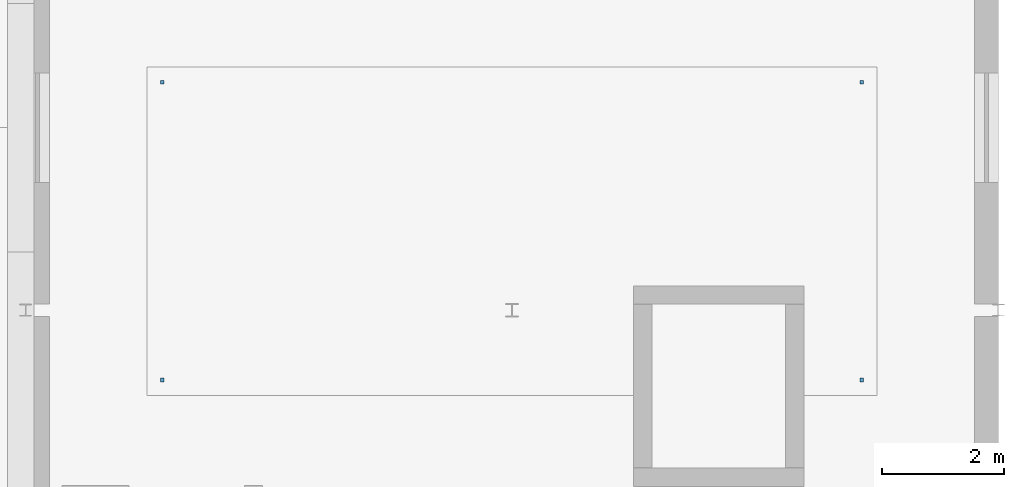
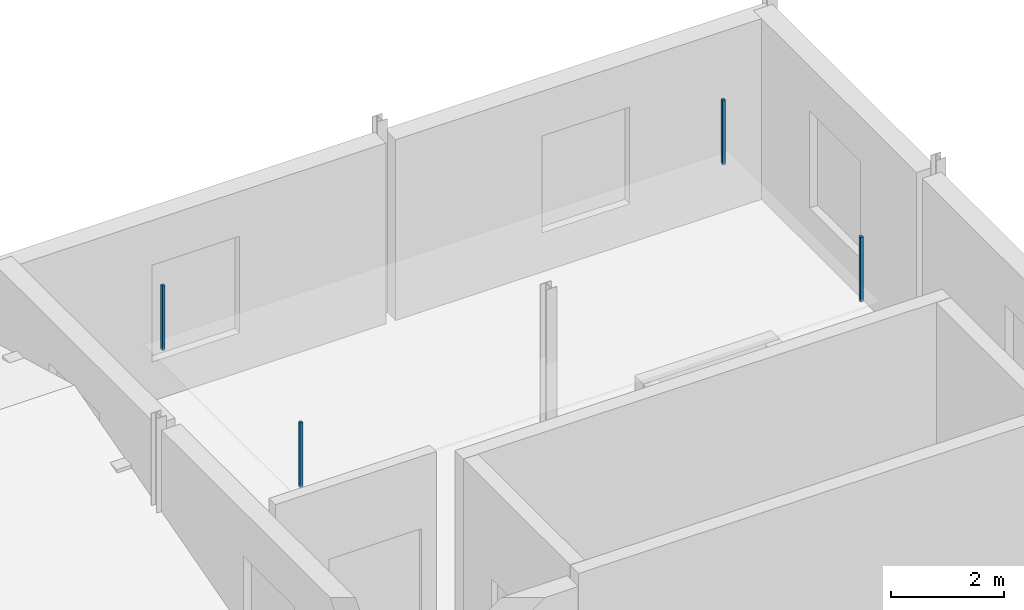
# One storey, part 45 of 67: 4 discrete accessories.
"""IFC4 building model written with IfcOpenShell, lengths in metres."""

import ifcopenshell
import ifcopenshell.guid

model = None  # the IFC model being written
_history = None  # IfcOwnerHistory: only IFC2X3 demands one
_inside = {}  # id of a spatial element -> (the spatial element, [elements in it])
_under = {}  # id of a project, library or spatial element -> (it, [spatial elements below it])
_declared = {}  # id of a project -> (the project, [libraries it declares])
_typed = {}  # id of a type object -> (the type object, [elements of that type])
_made_of = {}  # id of a material, layer set ... -> (it, [elements and type objects made of it])


def new_model(schema):
    """Start an empty IFC model of exactly this schema.

    Asked for "IFC4X3", IfcOpenShell would pick the latest addendum, in which some entities
    have other attributes; the version numbers below select the first issue.
    IFC2X3 requires an IfcOwnerHistory on every rooted entity: one is made here for all.
    """
    global model, _history
    if schema == "IFC4X3":
        model = ifcopenshell.file(schema_version=(4, 3, 0, 0))
    else:
        model = ifcopenshell.file(schema=schema)
    _inside.clear()
    _under.clear()
    _declared.clear()
    _typed.clear()
    _made_of.clear()
    _history = None
    if model.schema == "IFC2X3":
        org = make("IfcOrganization", Name="unknown")
        user = make(
            "IfcPersonAndOrganization",
            ThePerson=make("IfcPerson", FamilyName="unknown"),
            TheOrganization=org,
        )
        app = make(
            "IfcApplication",
            ApplicationDeveloper=org,
            Version="unknown",
            ApplicationFullName="unknown",
            ApplicationIdentifier="unknown",
        )
        _history = make(
            "IfcOwnerHistory",
            OwningUser=user,
            OwningApplication=app,
            ChangeAction="ADDED",
            CreationDate=0,
        )
    return model


def make(cls, **values):
    """One entity of the class cls with the attributes given. An attribute that is None is left unset."""
    return model.create_entity(
        cls, **{name: value for name, value in values.items() if value is not None}
    )


def rooted(cls, **values):
    """An entity with a GlobalId (a new one), such as an element, a storey or a relation."""
    return make(cls, GlobalId=ifcopenshell.guid.new(), OwnerHistory=_history, **values)


def si_unit(unit_type, name, prefix=None):
    """IfcSIUnit, for example si_unit("LENGTHUNIT", "METRE", prefix="MILLI")."""
    return make("IfcSIUnit", UnitType=unit_type, Prefix=prefix, Name=name)


def assignment(units):
    """IfcUnitAssignment: the units of a project."""
    return None if units is None else make("IfcUnitAssignment", Units=units)


def point(xyz):
    """IfcCartesianPoint."""
    return None if xyz is None else make("IfcCartesianPoint", Coordinates=xyz)


def direction(xyz):
    """IfcDirection."""
    return None if xyz is None else make("IfcDirection", DirectionRatios=xyz)


def frame(location, z_axis=None, x_axis=None):
    """IfcAxis2Placement3D, a coordinate frame: its origin and axes. An axis left out is left unset."""
    return make(
        "IfcAxis2Placement3D",
        Location=point(location),
        Axis=direction(z_axis),
        RefDirection=direction(x_axis),
    )


def frame_2d(location, x_axis=None):
    """IfcAxis2Placement2D, a coordinate frame in the plane: its origin and x axis."""
    return make(
        "IfcAxis2Placement2D", Location=point(location), RefDirection=direction(x_axis)
    )


def origin():
    """The frame at (0, 0, 0) with its axes left unset."""
    return frame((0.0, 0.0, 0.0))


def origin_2d():
    """The frame at (0, 0) in the plane with its x axis left unset."""
    return frame_2d((0.0, 0.0))


def place(relative_to, where):
    """IfcLocalPlacement: puts the frame where relative to a parent placement (None: the world)."""
    return make(
        "IfcLocalPlacement", PlacementRelTo=relative_to, RelativePlacement=where
    )


def context(
    kind, dimensions, precision=None, world=None, true_north=None, identifier=None
):
    """IfcGeometricRepresentationContext, for example the 3D "Model" context."""
    return make(
        "IfcGeometricRepresentationContext",
        ContextIdentifier=identifier,
        ContextType=kind,
        CoordinateSpaceDimension=dimensions,
        Precision=precision,
        WorldCoordinateSystem=world,
        TrueNorth=true_north,
    )


def subcontext(parent, identifier, kind, view, scale=None):
    """IfcGeometricRepresentationSubContext, for example "Body" below "Model"."""
    return make(
        "IfcGeometricRepresentationSubContext",
        ContextIdentifier=identifier,
        ContextType=kind,
        ParentContext=parent,
        TargetScale=scale,
        TargetView=view,
    )


def project(units=None, contexts=None):
    """IfcProject with its units and contexts."""
    return rooted(
        "IfcProject",
        Name="project",
        RepresentationContexts=contexts,
        UnitsInContext=assignment(units),
    )


def spatial(cls, under=None, at=None, **own):
    """A site, building, storey or space (cls), placed at a placement, below another one or the project."""
    s = rooted(cls, ObjectPlacement=at, **own)
    if under is not None:
        _under.setdefault(under.id(), (under, []))[1].append(s)
    return s


def profile(cls, at=None, kind="AREA", **sizes):
    """A parametric profile (cls). Its sizes go by their IFC names, for example OverallWidth=200.0."""
    return make(cls, ProfileType=kind, Position=at, **sizes)


def rectangle(**sizes):
    """IfcRectangleProfileDef."""
    return profile("IfcRectangleProfileDef", **sizes)


def extrude(swept, where, along, depth):
    """IfcExtrudedAreaSolid: the profile swept, set in the frame where, extruded along a direction by depth."""
    return make(
        "IfcExtrudedAreaSolid",
        SweptArea=swept,
        Position=where,
        ExtrudedDirection=direction(along),
        Depth=depth,
    )


def shape(context_of_items, identifier, shape_type, items):
    """IfcShapeRepresentation: the items that make up one representation, for example the "Body"."""
    return make(
        "IfcShapeRepresentation",
        ContextOfItems=context_of_items,
        RepresentationIdentifier=identifier,
        RepresentationType=shape_type,
        Items=items,
    )


def material(Name=None, Category=None):
    """IfcMaterial."""
    return make("IfcMaterial", Name=Name, Category=Category)


def made_of(thing, what):
    """Note that an element or type object is made of a material, layer set ...; save() writes the relation."""
    if what is not None:
        _made_of.setdefault(what.id(), (what, []))[1].append(thing)
    return thing


def type_object(cls, material=None, **own):
    """A type object (cls), such as IfcWallType, which elements share."""
    return made_of(rooted(cls, **own), material)


def element(
    cls,
    number,
    at=None,
    inside=None,
    cuts=None,
    type_object=None,
    material=None,
    context=None,
    identifier="Body",
    shape_type=None,
    held_by="IfcProductDefinitionShape",
    body=None,
    shapes=None,
    **own,
):
    """One element of the class cls, such as IfcWall. Its Tag is "e" and its number.

    at: its placement. inside: the storey or other place that contains it. cuts: it is an
    opening in that element (IfcRelVoidsElement). A single representation is given by context,
    identifier, shape_type and body (its items); several are given by shapes. held_by: the class
    of the entity that holds the representations. save() writes the other relations.
    """
    e = rooted(cls, Tag="e%d" % number, ObjectPlacement=at, **own)
    if body is not None:
        shapes = [shape(context, identifier, shape_type, body)]
    if shapes is not None:
        e.Representation = make(held_by, Representations=shapes)
    if inside is not None:
        _inside.setdefault(inside.id(), (inside, []))[1].append(e)
    if cuts is not None:
        rooted(
            "IfcRelVoidsElement", RelatingBuildingElement=cuts, RelatedOpeningElement=e
        )
    if type_object is not None:
        _typed.setdefault(type_object.id(), (type_object, []))[1].append(e)
    return made_of(e, material)


def aggregate(whole, parts):
    """IfcRelAggregates: a whole, such as a stair, and the parts it consists of."""
    return rooted("IfcRelAggregates", RelatingObject=whole, RelatedObjects=parts)


def save(model, path):
    """Write the relations noted so far, then the file.

    IfcRelAggregates (storeys below a building ...), IfcRelContainedInSpatialStructure (elements
    in a storey), IfcRelDefinesByType, IfcRelAssociatesMaterial and IfcRelDeclares: one each for
    every whole, place, type object, material and project.
    """
    for whole, parts in _under.values():
        aggregate(whole, parts)
    for where, things in _inside.values():
        rooted(
            "IfcRelContainedInSpatialStructure",
            RelatedElements=things,
            RelatingStructure=where,
        )
    for kind, things in _typed.values():
        rooted("IfcRelDefinesByType", RelatedObjects=things, RelatingType=kind)
    for what, things in _made_of.values():
        rooted("IfcRelAssociatesMaterial", RelatedObjects=things, RelatingMaterial=what)
    for by, libraries in _declared.values():
        rooted("IfcRelDeclares", RelatingContext=by, RelatedDefinitions=libraries)
    model.write(path)


model = new_model("IFC4")

# Units and contexts
model_context = context("Model", 3, precision=1e-05, world=origin(), true_north=direction((0.0, 1.0)))
body_context = subcontext(model_context, "Body", "Model", "MODEL_VIEW")
ifc_project = project(units=[si_unit("LENGTHUNIT", "METRE"), si_unit("AREAUNIT", "SQUARE_METRE"), si_unit("VOLUMEUNIT", "CUBIC_METRE"), si_unit("PLANEANGLEUNIT", "RADIAN"), si_unit("MASSUNIT", "GRAM", prefix="KILO")], contexts=[model_context])

# Site, building, storey
site_placement = place(None, origin())
site = spatial("IfcSite", under=ifc_project, at=site_placement, CompositionType="ELEMENT")
building_placement = place(site_placement, origin())
building = spatial("IfcBuilding", under=site, at=building_placement, Name="Sundkrona Museum", CompositionType="ELEMENT")
storey_placement = place(building_placement, frame((0.0, 0.0, 21.800048828125)))
storey = spatial("IfcBuildingStorey", under=building, at=storey_placement, Name="L04", CompositionType="ELEMENT", Elevation=21.800048828125)

# Discrete accessories
ifc_material = material(Name="Stainless Steel EN 1.4404 Cleat", Category="steel")
discrete_accessory_type = type_object("IfcDiscreteAccessoryType", Name="BRK-FIN-01", PredefinedType="BRACKET", material=ifc_material)
for number, where, z_axis, x_axis, name in (
    (1, (26.25, 38.85009765625, 2.550048828125), (0.0, 0.0, 1.0), (1.0, 0.0, 0.0), "L04 Exhibition Archive Research Room Ceiling Hanger 1"),
    (2, (37.75, 38.85009765625, 2.550048828125), (0.0, 0.0, 1.0), (1.0, 0.0, 0.0), "L04 Exhibition Archive Research Room Ceiling Hanger 2"),
    (3, (37.75, 43.75, 2.550048828125), (0.0, 0.0, 1.0), (1.0, 0.0, 0.0), "L04 Exhibition Archive Research Room Ceiling Hanger 3"),
    (4, (26.25, 43.75, 2.550048828125), (0.0, 0.0, 1.0), (1.0, 0.0, 0.0), "L04 Exhibition Archive Research Room Ceiling Hanger 4"),
):
    element("IfcDiscreteAccessory", number, at=place(storey_placement, frame(where, z_axis=z_axis, x_axis=x_axis)), inside=storey, type_object=discrete_accessory_type, Name=name, PredefinedType="BRACKET", context=body_context, shape_type="SweptSolid", body=[
        extrude(rectangle(XDim=0.06005859375, YDim=0.06005859375, at=origin_2d()), origin(), (0.0, 0.0, 1.0), 1.39990234375),
    ])

save(model, "model.ifc")
